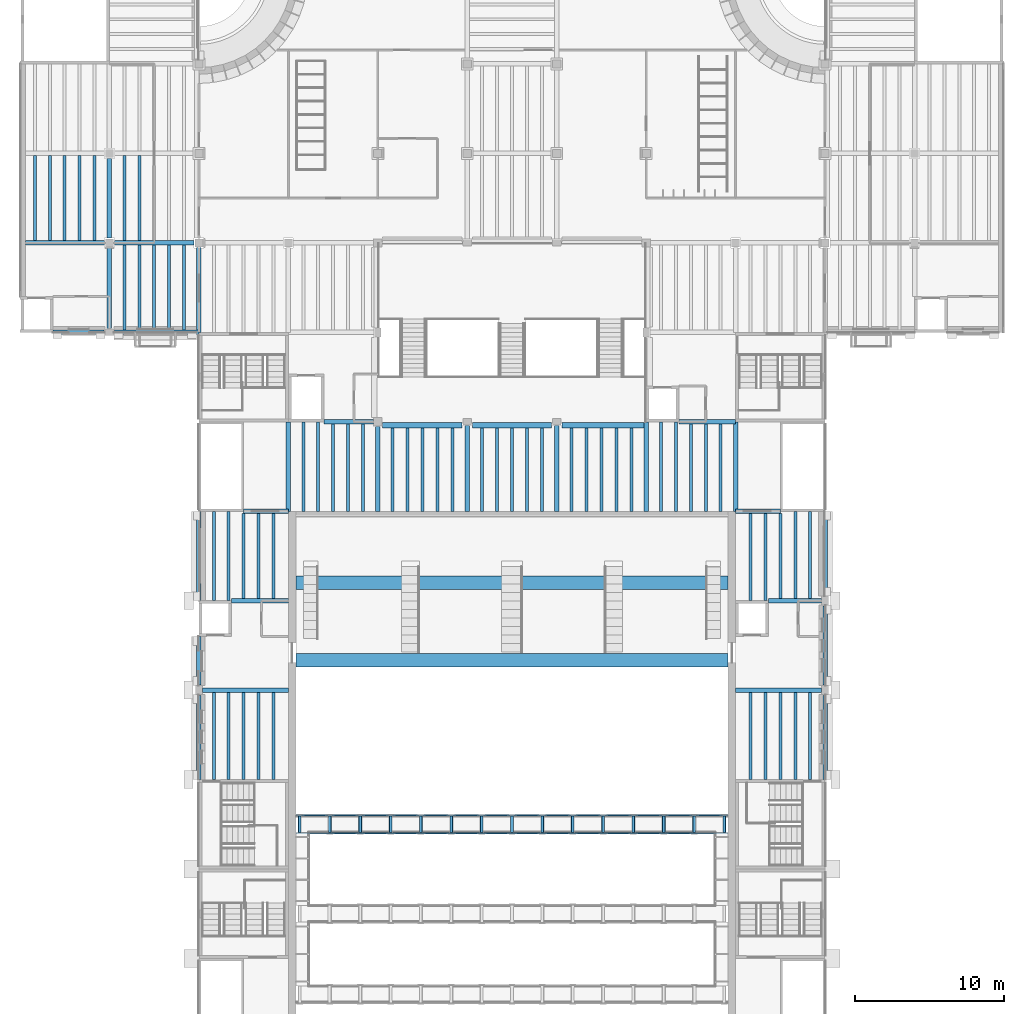
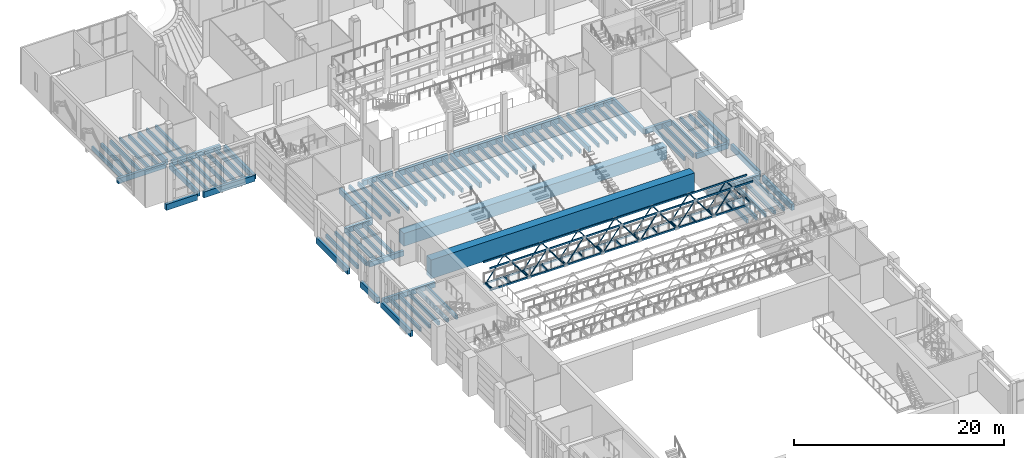
# One storey, part 12 of 70: 108 beams, 26 members.
"""IFC4 building model written with IfcOpenShell, lengths in metres."""

from ifc_helpers import new_model, si_unit, direction, frame, origin, origin_2d, place, context, subcontext, project, spatial, rectangle, hollow_rectangle, hollow_circle, i_section, extrude, material, material_profile, profile_set, type_object, element, save


model = new_model("IFC4")

# Units and contexts
model_context = context("Model", 3, precision=1e-05, world=origin(), true_north=direction((0.0, 1.0)))
body_context = subcontext(model_context, "Body", "Model", "MODEL_VIEW")
ifc_project = project(units=[si_unit("LENGTHUNIT", "METRE"), si_unit("AREAUNIT", "SQUARE_METRE"), si_unit("VOLUMEUNIT", "CUBIC_METRE"), si_unit("PLANEANGLEUNIT", "RADIAN"), si_unit("MASSUNIT", "GRAM", prefix="KILO")], contexts=[model_context])

# Site, building, storey
site_placement = place(None, origin())
site = spatial("IfcSite", under=ifc_project, at=site_placement, CompositionType="ELEMENT")
building_placement = place(site_placement, origin())
building = spatial("IfcBuilding", under=site, at=building_placement, Name="Saffron Lane Theatres", CompositionType="ELEMENT")
storey_placement = place(building_placement, frame((0.0, 0.0, 12.0)))
storey = spatial("IfcBuildingStorey", under=building, at=storey_placement, Name="L02", CompositionType="ELEMENT", Elevation=12.0)

# Beams
ifc_material_1 = material(Name="Concrete N40 (40 MPa)", Category="concrete")
ifc_material_profile_1 = material_profile(ifc_material_1, rectangle(XDim=0.300048828125, YDim=0.60009765625, at=origin_2d()))
ifc_profile_set_1 = profile_set([ifc_material_profile_1], Name="Concrete N40 (40 MPa)")
beam_type_1 = type_object("IfcBeamType", Name="RC-BEAM 300x600", PredefinedType="BEAM", material=ifc_profile_set_1)
for number, where, z_axis, x_axis, name in (
    (1, (12.25, 78.0, -0.550048828125), (1.0, 0.0, 0.0), (0.0, 1.0, 0.0), "beam-L02-x780-122"),
    (2, (48.0, 78.0, -0.550048828125), (1.0, 0.0, 0.0), (0.0, 1.0, 0.0), "beam-L02-x780-480"),
):
    element("IfcBeam", number, at=place(storey_placement, frame(where, z_axis=z_axis, x_axis=x_axis)), inside=storey, type_object=beam_type_1, Name=name, PredefinedType="BEAM", context=body_context, shape_type="SweptSolid", body=[
        extrude(rectangle(XDim=0.300048828125, YDim=0.60009765625, at=origin_2d()), origin(), (0.0, 0.0, 1.0), 5.75),
    ])
beam_1_placement = place(storey_placement, frame((14.199951171875, 84.0, -0.550048828125), z_axis=(1.0, 0.0, 0.0), x_axis=(0.0, 1.0, 0.0)))
element("IfcBeam", 3, at=beam_1_placement, inside=storey, type_object=beam_type_1, Name="beam-L02-x840-142", PredefinedType="BEAM", context=body_context, shape_type="SweptSolid", body=[
    extrude(rectangle(XDim=0.300048828125, YDim=0.60009765625, at=origin_2d()), origin(), (0.0, 0.0, 1.0), 3.800048828125),
])
beam_2_placement = place(storey_placement, frame((50.199951171875, 84.0, -0.550048828125), z_axis=(1.0, 0.0, 0.0), x_axis=(0.0, 1.0, 0.0)))
element("IfcBeam", 4, at=beam_2_placement, inside=storey, type_object=beam_type_1, Name="beam-L02-x840-502", PredefinedType="BEAM", context=body_context, shape_type="SweptSolid", body=[
    extrude(rectangle(XDim=0.300048828125, YDim=0.60009765625, at=origin_2d()), origin(), (0.0, 0.0, 1.0), 3.550048828125),
])
for number, where, z_axis, x_axis, name in (
    (5, (15.0, 90.0, -0.550048828125), (1.0, 0.0, 0.0), (0.0, 1.0, 0.0), "beam-L02-x900-150"),
    (6, (48.0, 90.0, -0.550048828125), (1.0, 0.0, 0.0), (0.0, 1.0, 0.0), "beam-L02-x900-480"),
):
    element("IfcBeam", number, at=place(storey_placement, frame(where, z_axis=z_axis, x_axis=x_axis)), inside=storey, type_object=beam_type_1, Name=name, PredefinedType="BEAM", context=body_context, shape_type="SweptSolid", body=[
        extrude(rectangle(XDim=0.300048828125, YDim=0.60009765625, at=origin_2d()), origin(), (0.0, 0.0, 1.0), 3.0),
    ])
beam_3_placement = place(storey_placement, frame((20.39990234375, 96.0, -0.550048828125), z_axis=(1.0, 0.0, 0.0), x_axis=(0.0, 1.0, 0.0)))
element("IfcBeam", 7, at=beam_3_placement, inside=storey, type_object=beam_type_1, Name="beam-L02-x960-204", PredefinedType="BEAM", context=body_context, shape_type="SweptSolid", body=[
    extrude(rectangle(XDim=0.300048828125, YDim=0.60009765625, at=origin_2d()), origin(), (0.0, 0.0, 1.0), 3.300048828125),
])
beam_4_placement = place(storey_placement, frame((44.199951171875, 96.0, -0.550048828125), z_axis=(1.0, 0.0, 0.0), x_axis=(0.0, 1.0, 0.0)))
element("IfcBeam", 8, at=beam_4_placement, inside=storey, type_object=beam_type_1, Name="beam-L02-x960-442", PredefinedType="BEAM", context=body_context, shape_type="SweptSolid", body=[
    extrude(rectangle(XDim=0.300048828125, YDim=0.60009765625, at=origin_2d()), origin(), (0.0, 0.0, 1.0), 3.800048828125),
])
beam_5_placement = place(storey_placement, frame((0.360107421875, 108.0, -0.550048828125), z_axis=(1.0, 0.0, 0.0), x_axis=(0.0, 1.0, 0.0)))
element("IfcBeam", 9, at=beam_5_placement, inside=storey, type_object=beam_type_1, Name="beam-L02-x1080-4", PredefinedType="BEAM", context=body_context, shape_type="SweptSolid", body=[
    extrude(rectangle(XDim=0.300048828125, YDim=0.60009765625, at=origin_2d()), origin(), (0.0, 0.0, 1.0), 5.31494140625),
])
beam_6_placement = place(storey_placement, frame((6.324951171875, 108.0, -0.550048828125), z_axis=(1.0, 0.0, 0.0), x_axis=(0.0, 1.0, 0.0)))
element("IfcBeam", 10, at=beam_6_placement, inside=storey, type_object=beam_type_1, Name="beam-L02-x1080-63", PredefinedType="BEAM", context=body_context, shape_type="SweptSolid", body=[
    extrude(rectangle(XDim=0.300048828125, YDim=0.60009765625, at=origin_2d()), origin(), (0.0, 0.0, 1.0), 5.35009765625),
])
beam_7_placement = place(storey_placement, frame((6.0, 102.25, -0.550048828125), z_axis=(0.0, 1.0, 0.0), x_axis=(-1.0, 0.0, 0.0)))
element("IfcBeam", 11, at=beam_7_placement, inside=storey, type_object=beam_type_1, Name="beam-L02-y60-1022", PredefinedType="BEAM", context=body_context, shape_type="SweptSolid", body=[
    extrude(rectangle(XDim=0.300048828125, YDim=0.60009765625, at=origin_2d()), origin(), (0.0, 0.0, 1.0), 5.425048828125),
])
beam_8_placement = place(storey_placement, frame((6.0, 108.324951171875, -0.550048828125), z_axis=(0.0, 1.0, 0.0), x_axis=(-1.0, 0.0, 0.0)))
element("IfcBeam", 12, at=beam_8_placement, inside=storey, type_object=beam_type_1, Name="beam-L02-y60-1083", PredefinedType="BEAM", context=body_context, shape_type="SweptSolid", body=[
    extrude(rectangle(XDim=0.300048828125, YDim=0.60009765625, at=origin_2d()), origin(), (0.0, 0.0, 1.0), 5.35009765625),
])
beam_9_placement = place(storey_placement, frame((12.0, 102.0, -0.550048828125), z_axis=(0.0, 1.0, 0.0), x_axis=(-1.0, 0.0, 0.0)))
element("IfcBeam", 13, at=beam_9_placement, inside=storey, type_object=beam_type_1, Name="beam-L02-y120-1020", PredefinedType="BEAM", context=body_context, shape_type="SweptSolid", body=[
    extrude(rectangle(XDim=0.300048828125, YDim=0.60009765625, at=origin_2d()), origin(), (0.0, 0.0, 1.0), 5.675048828125),
])
beam_10_placement = place(storey_placement, frame((18.0, 90.0, -0.550048828125), z_axis=(0.0, 1.0, 0.0), x_axis=(-1.0, 0.0, 0.0)))
element("IfcBeam", 14, at=beam_10_placement, inside=storey, type_object=beam_type_1, Name="beam-L02-y180-900", PredefinedType="BEAM", context=body_context, shape_type="SweptSolid", body=[
    extrude(rectangle(XDim=0.300048828125, YDim=0.60009765625, at=origin_2d()), origin(), (0.0, 0.0, 1.0), 6.0),
])
beam_11_placement = place(storey_placement, frame((24.0, 90.0, -0.550048828125), z_axis=(0.0, 1.0, 0.0), x_axis=(-1.0, 0.0, 0.0)))
element("IfcBeam", 15, at=beam_11_placement, inside=storey, type_object=beam_type_1, Name="beam-L02-y240-900", PredefinedType="BEAM", context=body_context, shape_type="SweptSolid", body=[
    extrude(rectangle(XDim=0.300048828125, YDim=0.60009765625, at=origin_2d()), origin(), (0.0, 0.0, 1.0), 5.699951171875),
])
for number, where, z_axis, x_axis, name in (
    (16, (30.0, 90.0, -0.550048828125), (0.0, 1.0, 0.0), (-1.0, 0.0, 0.0), "beam-L02-y300-900"),
    (17, (36.0, 90.0, -0.550048828125), (0.0, 1.0, 0.0), (-1.0, 0.0, 0.0), "beam-L02-y360-900"),
):
    element("IfcBeam", number, at=place(storey_placement, frame(where, z_axis=z_axis, x_axis=x_axis)), inside=storey, type_object=beam_type_1, Name=name, PredefinedType="BEAM", context=body_context, shape_type="SweptSolid", body=[
        extrude(rectangle(XDim=0.300048828125, YDim=0.60009765625, at=origin_2d()), origin(), (0.0, 0.0, 1.0), 5.75),
    ])
for number, where, z_axis, x_axis, name in (
    (18, (42.0, 90.0, -0.550048828125), (0.0, 1.0, 0.0), (-1.0, 0.0, 0.0), "beam-L02-y420-900"),
    (19, (48.0, 90.0, -0.550048828125), (0.0, 1.0, 0.0), (-1.0, 0.0, 0.0), "beam-L02-y480-900"),
):
    element("IfcBeam", number, at=place(storey_placement, frame(where, z_axis=z_axis, x_axis=x_axis)), inside=storey, type_object=beam_type_1, Name=name, PredefinedType="BEAM", context=body_context, shape_type="SweptSolid", body=[
        extrude(rectangle(XDim=0.300048828125, YDim=0.60009765625, at=origin_2d()), origin(), (0.0, 0.0, 1.0), 6.0),
    ])
ifc_material_2 = material(Name="Concrete N40 (40 MPa)", Category="concrete")
ifc_material_profile_2 = material_profile(ifc_material_2, rectangle(XDim=0.300048828125, YDim=0.699951171875, at=origin_2d()))
ifc_profile_set_2 = profile_set([ifc_material_profile_2], Name="Concrete N40 (40 MPa)")
beam_type_2 = type_object("IfcBeamType", Name="RC-BEAM 300x700", PredefinedType="BEAM", material=ifc_profile_set_2)
beam_12_placement = place(storey_placement, frame((2.199951171875, 102.0, -0.60009765625), z_axis=(1.0, 0.0, 0.0), x_axis=(0.0, 1.0, 0.0)))
element("IfcBeam", 20, at=beam_12_placement, inside=storey, type_object=beam_type_2, Name="beam-L02-x1020-22", PredefinedType="BEAM", context=body_context, shape_type="SweptSolid", body=[
    extrude(rectangle(XDim=0.300048828125, YDim=0.699951171875, at=origin_2d()), origin(), (0.0, 0.0, 1.0), 3.449951171875),
])
for number, where, z_axis, x_axis, name in (
    (21, (6.35009765625, 102.0, -0.60009765625), (1.0, 0.0, 0.0), (0.0, 1.0, 0.0), "beam-L02-x1020-64"),
    (22, (12.0, 72.0, -0.60009765625), (0.0, 1.0, 0.0), (-1.0, 0.0, 0.0), "beam-L02-y120-720"),
):
    element("IfcBeam", number, at=place(storey_placement, frame(where, z_axis=z_axis, x_axis=x_axis)), inside=storey, type_object=beam_type_2, Name=name, PredefinedType="BEAM", context=body_context, shape_type="SweptSolid", body=[
        extrude(rectangle(XDim=0.300048828125, YDim=0.699951171875, at=origin_2d()), origin(), (0.0, 0.0, 1.0), 5.64990234375),
    ])
beam_13_placement = place(storey_placement, frame((12.0, 78.35009765625, -0.60009765625), z_axis=(0.0, 1.0, 0.0), x_axis=(-1.0, 0.0, 0.0)))
element("IfcBeam", 23, at=beam_13_placement, inside=storey, type_object=beam_type_2, Name="beam-L02-y120-784", PredefinedType="BEAM", context=body_context, shape_type="SweptSolid", body=[
    extrude(rectangle(XDim=0.300048828125, YDim=0.699951171875, at=origin_2d()), origin(), (0.0, 0.0, 1.0), 3.25),
])
beam_14_placement = place(storey_placement, frame((12.0, 84.0, -0.60009765625), z_axis=(0.0, 1.0, 0.0), x_axis=(-1.0, 0.0, 0.0)))
element("IfcBeam", 24, at=beam_14_placement, inside=storey, type_object=beam_type_2, Name="beam-L02-y120-840", PredefinedType="BEAM", context=body_context, shape_type="SweptSolid", body=[
    extrude(rectangle(XDim=0.300048828125, YDim=0.699951171875, at=origin_2d()), origin(), (0.0, 0.0, 1.0), 6.0),
])
beam_15_placement = place(storey_placement, frame((54.0, 72.0, -0.60009765625), z_axis=(0.0, 1.0, 0.0), x_axis=(-1.0, 0.0, 0.0)))
element("IfcBeam", 25, at=beam_15_placement, inside=storey, type_object=beam_type_2, Name="beam-L02-y540-720", PredefinedType="BEAM", context=body_context, shape_type="SweptSolid", body=[
    extrude(rectangle(XDim=0.300048828125, YDim=0.699951171875, at=origin_2d()), origin(), (0.0, 0.0, 1.0), 5.64990234375),
])
beam_16_placement = place(storey_placement, frame((54.0, 78.35009765625, -0.60009765625), z_axis=(0.0, 1.0, 0.0), x_axis=(-1.0, 0.0, 0.0)))
element("IfcBeam", 26, at=beam_16_placement, inside=storey, type_object=beam_type_2, Name="beam-L02-y540-784", PredefinedType="BEAM", context=body_context, shape_type="SweptSolid", body=[
    extrude(rectangle(XDim=0.300048828125, YDim=0.699951171875, at=origin_2d()), origin(), (0.0, 0.0, 1.0), 5.2998046875),
])
beam_17_placement = place(storey_placement, frame((54.0, 84.35009765625, -0.60009765625), z_axis=(0.0, 1.0, 0.0), x_axis=(-1.0, 0.0, 0.0)))
element("IfcBeam", 27, at=beam_17_placement, inside=storey, type_object=beam_type_2, Name="beam-L02-y540-844", PredefinedType="BEAM", context=body_context, shape_type="SweptSolid", body=[
    extrude(rectangle(XDim=0.300048828125, YDim=0.699951171875, at=origin_2d()), origin(), (0.0, 0.0, 1.0), 5.64990234375),
])
ifc_material_3 = material(Name="Concrete N40 (40 MPa)", Category="concrete")
ifc_material_profile_3 = material_profile(ifc_material_3, rectangle(XDim=0.35009765625, YDim=0.64990234375, at=origin_2d()))
ifc_profile_set_3 = profile_set([ifc_material_profile_3], Name="Concrete N40 (40 MPa)")
beam_type_3 = type_object("IfcBeamType", Name="RC-BEAM 350x650", PredefinedType="BEAM", material=ifc_profile_set_3)
beam_18_placement = place(storey_placement, frame((24.300048828125, 95.764892578125, -0.574951171875), z_axis=(1.0, 0.0, 0.0), x_axis=(0.0, 1.0, 0.0)))
element("IfcBeam", 28, at=beam_18_placement, inside=storey, type_object=beam_type_3, Name="beam-L02-x960-243", PredefinedType="BEAM", context=body_context, shape_type="SweptSolid", body=[
    extrude(rectangle(XDim=0.35009765625, YDim=0.64990234375, at=origin_2d()), origin(), (0.0, 0.0, 1.0), 5.349853515625),
])
beam_19_placement = place(storey_placement, frame((30.35009765625, 95.764892578125, -0.574951171875), z_axis=(1.0, 0.0, 0.0), x_axis=(0.0, 1.0, 0.0)))
element("IfcBeam", 29, at=beam_19_placement, inside=storey, type_object=beam_type_3, Name="beam-L02-x960-304", PredefinedType="BEAM", context=body_context, shape_type="SweptSolid", body=[
    extrude(rectangle(XDim=0.35009765625, YDim=0.64990234375, at=origin_2d()), origin(), (0.0, 0.0, 1.0), 5.2998046875),
])
beam_20_placement = place(storey_placement, frame((36.35009765625, 95.764892578125, -0.574951171875), z_axis=(1.0, 0.0, 0.0), x_axis=(0.0, 1.0, 0.0)))
element("IfcBeam", 30, at=beam_20_placement, inside=storey, type_object=beam_type_3, Name="beam-L02-x960-364", PredefinedType="BEAM", context=body_context, shape_type="SweptSolid", body=[
    extrude(rectangle(XDim=0.35009765625, YDim=0.64990234375, at=origin_2d()), origin(), (0.0, 0.0, 1.0), 5.64990234375),
])
ifc_material_4 = material(Name="Concrete N50 (50 MPa)", Category="concrete")
ifc_material_profile_4 = material_profile(ifc_material_4, rectangle(XDim=0.89990234375, YDim=1.5, at=origin_2d()))
ifc_profile_set_4 = profile_set([ifc_material_profile_4], Name="Concrete N50 (50 MPa)")
beam_type_4 = type_object("IfcBeamType", Name="RC-BEAM 900x1500", PredefinedType="BEAM", material=ifc_profile_set_4)
beam_21_placement = place(storey_placement, frame((18.5, 85.2080078125, 0.28466796875), z_axis=(1.0, 0.0, 0.0), x_axis=(0.0, 1.0, 0.0)))
element("IfcBeam", 31, at=beam_21_placement, inside=storey, type_object=beam_type_4, Name="beam-L02-dress-circle-girder", PredefinedType="BEAM", context=body_context, shape_type="SweptSolid", body=[
    extrude(rectangle(XDim=0.89990234375, YDim=1.5, at=origin_2d()), origin(), (0.0, 0.0, 1.0), 29.0),
])
ifc_material_5 = material(Name="Concrete N50 (50 MPa)", Category="concrete")
ifc_material_profile_5 = material_profile(ifc_material_5, rectangle(XDim=0.89990234375, YDim=2.199951171875, at=origin_2d()))
ifc_profile_set_5 = profile_set([ifc_material_profile_5], Name="Concrete N50 (50 MPa)")
beam_type_5 = type_object("IfcBeamType", Name="RC-BEAM 900x2200", PredefinedType="BEAM", material=ifc_profile_set_5)
beam_22_placement = place(storey_placement, frame((18.5, 80.0, 0.0), z_axis=(1.0, 0.0, 0.0), x_axis=(0.0, 1.0, 0.0)))
element("IfcBeam", 32, at=beam_22_placement, inside=storey, type_object=beam_type_5, Name="beam-L02-circle-front-girder", PredefinedType="BEAM", context=body_context, shape_type="SweptSolid", body=[
    extrude(rectangle(XDim=0.89990234375, YDim=2.199951171875, at=origin_2d()), origin(), (0.0, 0.0, 1.0), 29.0),
])
ifc_material_6 = material(Name="Concrete N40 (40 MPa)", Category="concrete")
ifc_material_profile_6 = material_profile(ifc_material_6, rectangle(XDim=0.199951171875, YDim=0.449951171875, at=origin_2d()))
ifc_profile_set_6 = profile_set([ifc_material_profile_6], Name="Concrete N40 (40 MPa)")
beam_type_6 = type_object("IfcBeamType", Name="RC-JOIST 200x450", PredefinedType="JOIST", material=ifc_profile_set_6)
for number, where, z_axis, x_axis, name in (
    (33, (1.0, 108.14990234375, -0.47509765625), (0.0, 1.0, 0.0), (-1.0, 0.0, 0.0), "joist-L02-y100-1082"),
    (34, (2.0, 108.14990234375, -0.47509765625), (0.0, 1.0, 0.0), (-1.0, 0.0, 0.0), "joist-L02-y200-1082"),
    (35, (3.0, 108.14990234375, -0.47509765625), (0.0, 1.0, 0.0), (-1.0, 0.0, 0.0), "joist-L02-y300-1082"),
    (36, (4.0, 108.14990234375, -0.47509765625), (0.0, 1.0, 0.0), (-1.0, 0.0, 0.0), "joist-L02-y400-1082"),
    (37, (5.0, 108.14990234375, -0.47509765625), (0.0, 1.0, 0.0), (-1.0, 0.0, 0.0), "joist-L02-y500-1082"),
    (38, (7.0, 102.14990234375, -0.47509765625), (0.0, 1.0, 0.0), (-1.0, 0.0, 0.0), "joist-L02-y700-1022"),
    (39, (8.0, 102.14990234375, -0.47509765625), (0.0, 1.0, 0.0), (-1.0, 0.0, 0.0), "joist-L02-y800-1022"),
    (40, (9.0, 102.14990234375, -0.47509765625), (0.0, 1.0, 0.0), (-1.0, 0.0, 0.0), "joist-L02-y900-1022"),
    (41, (10.0, 102.14990234375, -0.47509765625), (0.0, 1.0, 0.0), (-1.0, 0.0, 0.0), "joist-L02-y1000-1022"),
    (42, (11.0, 102.14990234375, -0.47509765625), (0.0, 1.0, 0.0), (-1.0, 0.0, 0.0), "joist-L02-y1100-1022"),
    (43, (7.0, 108.14990234375, -0.47509765625), (0.0, 1.0, 0.0), (-1.0, 0.0, 0.0), "joist-L02-y700-1082"),
    (44, (8.0, 108.14990234375, -0.47509765625), (0.0, 1.0, 0.0), (-1.0, 0.0, 0.0), "joist-L02-y800-1082"),
):
    element("IfcBeam", number, at=place(storey_placement, frame(where, z_axis=z_axis, x_axis=x_axis)), inside=storey, type_object=beam_type_6, Name=name, PredefinedType="JOIST", context=body_context, shape_type="SweptSolid", body=[
        extrude(rectangle(XDim=0.199951171875, YDim=0.449951171875, at=origin_2d()), origin(), (0.0, 0.0, 1.0), 5.7001953125),
    ])
for number, where, z_axis, x_axis, name in (
    (45, (13.0, 72.0, -0.47509765625), (0.0, 1.0, 0.0), (-1.0, 0.0, 0.0), "joist-L02-y1300-720"),
    (46, (14.0, 72.0, -0.47509765625), (0.0, 1.0, 0.0), (-1.0, 0.0, 0.0), "joist-L02-y1400-720"),
    (47, (15.0, 72.0, -0.47509765625), (0.0, 1.0, 0.0), (-1.0, 0.0, 0.0), "joist-L02-y1500-720"),
    (48, (16.0, 72.0, -0.47509765625), (0.0, 1.0, 0.0), (-1.0, 0.0, 0.0), "joist-L02-y1600-720"),
    (49, (17.0, 72.0, -0.47509765625), (0.0, 1.0, 0.0), (-1.0, 0.0, 0.0), "joist-L02-y1700-720"),
):
    element("IfcBeam", number, at=place(storey_placement, frame(where, z_axis=z_axis, x_axis=x_axis)), inside=storey, type_object=beam_type_6, Name=name, PredefinedType="JOIST", context=body_context, shape_type="SweptSolid", body=[
        extrude(rectangle(XDim=0.199951171875, YDim=0.449951171875, at=origin_2d()), origin(), (0.0, 0.0, 1.0), 5.85009765625),
    ])
for number, where, z_axis, x_axis, name in (
    (50, (13.0, 84.0, -0.47509765625), (0.0, 1.0, 0.0), (-1.0, 0.0, 0.0), "joist-L02-y1300-840"),
    (51, (14.0, 84.0, -0.47509765625), (0.0, 1.0, 0.0), (-1.0, 0.0, 0.0), "joist-L02-y1400-840"),
):
    element("IfcBeam", number, at=place(storey_placement, frame(where, z_axis=z_axis, x_axis=x_axis)), inside=storey, type_object=beam_type_6, Name=name, PredefinedType="JOIST", context=body_context, shape_type="SweptSolid", body=[
        extrude(rectangle(XDim=0.199951171875, YDim=0.449951171875, at=origin_2d()), origin(), (0.0, 0.0, 1.0), 6.0),
    ])
for number, where, z_axis, x_axis, name in (
    (52, (15.0, 84.14990234375, -0.47509765625), (0.0, 1.0, 0.0), (-1.0, 0.0, 0.0), "joist-L02-y1500-842"),
    (53, (16.0, 84.14990234375, -0.47509765625), (0.0, 1.0, 0.0), (-1.0, 0.0, 0.0), "joist-L02-y1600-842"),
    (54, (17.0, 84.14990234375, -0.47509765625), (0.0, 1.0, 0.0), (-1.0, 0.0, 0.0), "joist-L02-y1700-842"),
):
    element("IfcBeam", number, at=place(storey_placement, frame(where, z_axis=z_axis, x_axis=x_axis)), inside=storey, type_object=beam_type_6, Name=name, PredefinedType="JOIST", context=body_context, shape_type="SweptSolid", body=[
        extrude(rectangle(XDim=0.199951171875, YDim=0.449951171875, at=origin_2d()), origin(), (0.0, 0.0, 1.0), 5.7001953125),
    ])
for number, where, z_axis, x_axis, name in (
    (55, (19.0, 90.0, -0.47509765625), (0.0, 1.0, 0.0), (-1.0, 0.0, 0.0), "joist-L02-y1900-900"),
    (56, (20.0, 90.0, -0.47509765625), (0.0, 1.0, 0.0), (-1.0, 0.0, 0.0), "joist-L02-y2000-900"),
):
    element("IfcBeam", number, at=place(storey_placement, frame(where, z_axis=z_axis, x_axis=x_axis)), inside=storey, type_object=beam_type_6, Name=name, PredefinedType="JOIST", context=body_context, shape_type="SweptSolid", body=[
        extrude(rectangle(XDim=0.199951171875, YDim=0.449951171875, at=origin_2d()), origin(), (0.0, 0.0, 1.0), 6.0),
    ])
for number, where, z_axis, x_axis, name in (
    (57, (21.0, 90.0, -0.47509765625), (0.0, 1.0, 0.0), (-1.0, 0.0, 0.0), "joist-L02-y2100-900"),
    (58, (22.0, 90.0, -0.47509765625), (0.0, 1.0, 0.0), (-1.0, 0.0, 0.0), "joist-L02-y2200-900"),
    (59, (23.0, 90.0, -0.47509765625), (0.0, 1.0, 0.0), (-1.0, 0.0, 0.0), "joist-L02-y2300-900"),
):
    element("IfcBeam", number, at=place(storey_placement, frame(where, z_axis=z_axis, x_axis=x_axis)), inside=storey, type_object=beam_type_6, Name=name, PredefinedType="JOIST", context=body_context, shape_type="SweptSolid", body=[
        extrude(rectangle(XDim=0.199951171875, YDim=0.449951171875, at=origin_2d()), origin(), (0.0, 0.0, 1.0), 5.85009765625),
    ])
for number, where, z_axis, x_axis, name in (
    (60, (25.0, 90.0, -0.47509765625), (0.0, 1.0, 0.0), (-1.0, 0.0, 0.0), "joist-L02-y2500-900"),
    (61, (26.0, 90.0, -0.47509765625), (0.0, 1.0, 0.0), (-1.0, 0.0, 0.0), "joist-L02-y2600-900"),
    (62, (27.0, 90.0, -0.47509765625), (0.0, 1.0, 0.0), (-1.0, 0.0, 0.0), "joist-L02-y2700-900"),
    (63, (28.0, 90.0, -0.47509765625), (0.0, 1.0, 0.0), (-1.0, 0.0, 0.0), "joist-L02-y2800-900"),
    (64, (29.0, 90.0, -0.47509765625), (0.0, 1.0, 0.0), (-1.0, 0.0, 0.0), "joist-L02-y2900-900"),
    (65, (31.0, 90.0, -0.47509765625), (0.0, 1.0, 0.0), (-1.0, 0.0, 0.0), "joist-L02-y3100-900"),
    (66, (32.0, 90.0, -0.47509765625), (0.0, 1.0, 0.0), (-1.0, 0.0, 0.0), "joist-L02-y3200-900"),
    (67, (33.0, 90.0, -0.47509765625), (0.0, 1.0, 0.0), (-1.0, 0.0, 0.0), "joist-L02-y3300-900"),
    (68, (34.0, 90.0, -0.47509765625), (0.0, 1.0, 0.0), (-1.0, 0.0, 0.0), "joist-L02-y3400-900"),
    (69, (35.0, 90.0, -0.47509765625), (0.0, 1.0, 0.0), (-1.0, 0.0, 0.0), "joist-L02-y3500-900"),
    (70, (37.0, 90.0, -0.47509765625), (0.0, 1.0, 0.0), (-1.0, 0.0, 0.0), "joist-L02-y3700-900"),
    (71, (38.0, 90.0, -0.47509765625), (0.0, 1.0, 0.0), (-1.0, 0.0, 0.0), "joist-L02-y3800-900"),
    (72, (39.0, 90.0, -0.47509765625), (0.0, 1.0, 0.0), (-1.0, 0.0, 0.0), "joist-L02-y3900-900"),
    (73, (40.0, 90.0, -0.47509765625), (0.0, 1.0, 0.0), (-1.0, 0.0, 0.0), "joist-L02-y4000-900"),
    (74, (41.0, 90.0, -0.47509765625), (0.0, 1.0, 0.0), (-1.0, 0.0, 0.0), "joist-L02-y4100-900"),
):
    element("IfcBeam", number, at=place(storey_placement, frame(where, z_axis=z_axis, x_axis=x_axis)), inside=storey, type_object=beam_type_6, Name=name, PredefinedType="JOIST", context=body_context, shape_type="SweptSolid", body=[
        extrude(rectangle(XDim=0.199951171875, YDim=0.449951171875, at=origin_2d()), origin(), (0.0, 0.0, 1.0), 5.590087890625),
    ])
for number, where, z_axis, x_axis, name in (
    (75, (43.0, 90.0, -0.47509765625), (0.0, 1.0, 0.0), (-1.0, 0.0, 0.0), "joist-L02-y4300-900"),
    (76, (44.0, 90.0, -0.47509765625), (0.0, 1.0, 0.0), (-1.0, 0.0, 0.0), "joist-L02-y4400-900"),
):
    element("IfcBeam", number, at=place(storey_placement, frame(where, z_axis=z_axis, x_axis=x_axis)), inside=storey, type_object=beam_type_6, Name=name, PredefinedType="JOIST", context=body_context, shape_type="SweptSolid", body=[
        extrude(rectangle(XDim=0.199951171875, YDim=0.449951171875, at=origin_2d()), origin(), (0.0, 0.0, 1.0), 6.0),
    ])
for number, where, z_axis, x_axis, name in (
    (77, (45.0, 90.0, -0.47509765625), (0.0, 1.0, 0.0), (-1.0, 0.0, 0.0), "joist-L02-y4500-900"),
    (78, (46.0, 90.0, -0.47509765625), (0.0, 1.0, 0.0), (-1.0, 0.0, 0.0), "joist-L02-y4600-900"),
    (79, (47.0, 90.0, -0.47509765625), (0.0, 1.0, 0.0), (-1.0, 0.0, 0.0), "joist-L02-y4700-900"),
    (80, (49.0, 72.0, -0.47509765625), (0.0, 1.0, 0.0), (-1.0, 0.0, 0.0), "joist-L02-y4900-720"),
    (81, (50.0, 72.0, -0.47509765625), (0.0, 1.0, 0.0), (-1.0, 0.0, 0.0), "joist-L02-y5000-720"),
    (82, (51.0, 72.0, -0.47509765625), (0.0, 1.0, 0.0), (-1.0, 0.0, 0.0), "joist-L02-y5100-720"),
    (83, (52.0, 72.0, -0.47509765625), (0.0, 1.0, 0.0), (-1.0, 0.0, 0.0), "joist-L02-y5200-720"),
    (84, (53.0, 72.0, -0.47509765625), (0.0, 1.0, 0.0), (-1.0, 0.0, 0.0), "joist-L02-y5300-720"),
    (85, (49.0, 84.0, -0.47509765625), (0.0, 1.0, 0.0), (-1.0, 0.0, 0.0), "joist-L02-y4900-840"),
    (86, (50.0, 84.0, -0.47509765625), (0.0, 1.0, 0.0), (-1.0, 0.0, 0.0), "joist-L02-y5000-840"),
):
    element("IfcBeam", number, at=place(storey_placement, frame(where, z_axis=z_axis, x_axis=x_axis)), inside=storey, type_object=beam_type_6, Name=name, PredefinedType="JOIST", context=body_context, shape_type="SweptSolid", body=[
        extrude(rectangle(XDim=0.199951171875, YDim=0.449951171875, at=origin_2d()), origin(), (0.0, 0.0, 1.0), 5.85009765625),
    ])
beam_23_placement = place(storey_placement, frame((51.0, 84.14990234375, -0.47509765625), z_axis=(0.0, 1.0, 0.0), x_axis=(-1.0, 0.0, 0.0)))
element("IfcBeam", 87, at=beam_23_placement, inside=storey, type_object=beam_type_6, Name="joist-L02-y5100-842", PredefinedType="JOIST", context=body_context, shape_type="SweptSolid", body=[
    extrude(rectangle(XDim=0.199951171875, YDim=0.449951171875, at=origin_2d()), origin(), (0.0, 0.0, 1.0), 5.7001953125),
])
for number, where, z_axis, x_axis, name in (
    (88, (52.0, 84.14990234375, -0.47509765625), (0.0, 1.0, 0.0), (-1.0, 0.0, 0.0), "joist-L02-y5200-842"),
    (89, (53.0, 84.14990234375, -0.47509765625), (0.0, 1.0, 0.0), (-1.0, 0.0, 0.0), "joist-L02-y5300-842"),
):
    element("IfcBeam", number, at=place(storey_placement, frame(where, z_axis=z_axis, x_axis=x_axis)), inside=storey, type_object=beam_type_6, Name=name, PredefinedType="JOIST", context=body_context, shape_type="SweptSolid", body=[
        extrude(rectangle(XDim=0.199951171875, YDim=0.449951171875, at=origin_2d()), origin(), (0.0, 0.0, 1.0), 5.85009765625),
    ])
ifc_material_7 = material(Name="Steel Grade 350", Category="steel")
ifc_material_profile_7 = material_profile(ifc_material_7, hollow_rectangle(XDim=0.10009765625, YDim=0.199951171875, WallThickness=0.006103515625, InnerFilletRadius=0.0029296875, OuterFilletRadius=0.009033203125, at=origin_2d()))
ifc_profile_set_7 = profile_set([ifc_material_profile_7], Name="Steel Grade 350")
beam_type_7 = type_object("IfcBeamType", Name="ST-BRIDGE CHORD 200x100x6 RHS", PredefinedType="BEAM", material=ifc_profile_set_7)
for number, where, z_axis, x_axis, name in (
    (90, (18.5, 68.39990234375, 4.360107421875), (1.0, 0.0, 0.0), (0.0, 1.0, 0.0), "LB3AB"),
    (91, (18.5, 68.39990234375, 6.89990234375), (1.0, 0.0, 0.0), (0.0, 1.0, 0.0), "LB3AT"),
    (92, (18.5, 69.60009765625, 4.360107421875), (1.0, 0.0, 0.0), (0.0, 1.0, 0.0), "LB3BB"),
    (93, (18.5, 69.60009765625, 6.89990234375), (1.0, 0.0, 0.0), (0.0, 1.0, 0.0), "LB3BT"),
):
    element("IfcBeam", number, at=place(storey_placement, frame(where, z_axis=z_axis, x_axis=x_axis)), inside=storey, type_object=beam_type_7, Name=name, PredefinedType="BEAM", context=body_context, shape_type="SweptSolid", body=[
        extrude(hollow_rectangle(XDim=0.10009765625, YDim=0.199951171875, WallThickness=0.006103515625, InnerFilletRadius=0.0029296875, OuterFilletRadius=0.009033203125, at=origin_2d()), origin(), (0.0, 0.0, 1.0), 29.0),
    ])
ifc_material_8 = material(Name="Steel Grade 350", Category="steel")
ifc_material_profile_8 = material_profile(ifc_material_8, i_section(OverallWidth=0.202880859375, OverallDepth=0.202880859375, WebThickness=0.00732421875, FlangeThickness=0.010986328125, FilletRadius=0.010009765625, at=origin_2d()))
ifc_profile_set_8 = profile_set([ifc_material_profile_8], Name="Steel Grade 350")
beam_type_8 = type_object("IfcBeamType", Name="ST-BRIDGE CROSS 200UC46.2", PredefinedType="JOIST", material=ifc_profile_set_8)
for number, where, z_axis, x_axis, name in (
    (94, (18.75, 68.449951171875, 4.3583984375), (0.0, 1.0, 0.0), (0.0, 0.0, 1.0), "LC3-1"),
    (95, (20.78564453125, 68.449951171875, 4.3583984375), (0.0, 1.0, 0.0), (0.0, 0.0, 1.0), "LC3-2"),
    (96, (22.821533203125, 68.449951171875, 4.3583984375), (0.0, 1.0, 0.0), (0.0, 0.0, 1.0), "LC3-3"),
    (97, (24.857177734375, 68.449951171875, 4.3583984375), (0.0, 1.0, 0.0), (0.0, 0.0, 1.0), "LC3-4"),
    (98, (26.892822265625, 68.449951171875, 4.3583984375), (0.0, 1.0, 0.0), (0.0, 0.0, 1.0), "LC3-5"),
    (99, (28.928466796875, 68.449951171875, 4.3583984375), (0.0, 1.0, 0.0), (0.0, 0.0, 1.0), "LC3-6"),
    (100, (30.96435546875, 68.449951171875, 4.3583984375), (0.0, 1.0, 0.0), (0.0, 0.0, 1.0), "LC3-7"),
    (101, (33.0, 68.449951171875, 4.3583984375), (0.0, 1.0, 0.0), (0.0, 0.0, 1.0), "LC3-8"),
    (102, (35.03564453125, 68.449951171875, 4.3583984375), (0.0, 1.0, 0.0), (0.0, 0.0, 1.0), "LC3-9"),
    (103, (37.071533203125, 68.449951171875, 4.3583984375), (0.0, 1.0, 0.0), (0.0, 0.0, 1.0), "LC3-10"),
    (104, (39.107177734375, 68.449951171875, 4.3583984375), (0.0, 1.0, 0.0), (0.0, 0.0, 1.0), "LC3-11"),
    (105, (41.142822265625, 68.449951171875, 4.3583984375), (0.0, 1.0, 0.0), (0.0, 0.0, 1.0), "LC3-12"),
    (106, (43.178466796875, 68.449951171875, 4.3583984375), (0.0, 1.0, 0.0), (0.0, 0.0, 1.0), "LC3-13"),
    (107, (45.21435546875, 68.449951171875, 4.3583984375), (0.0, 1.0, 0.0), (0.0, 0.0, 1.0), "LC3-14"),
    (108, (47.25, 68.449951171875, 4.3583984375), (0.0, 1.0, 0.0), (0.0, 0.0, 1.0), "LC3-15"),
):
    element("IfcBeam", number, at=place(storey_placement, frame(where, z_axis=z_axis, x_axis=x_axis)), inside=storey, type_object=beam_type_8, Name=name, PredefinedType="JOIST", context=body_context, shape_type="SweptSolid", body=[
        extrude(i_section(OverallWidth=0.202880859375, OverallDepth=0.202880859375, WebThickness=0.00732421875, FlangeThickness=0.010986328125, FilletRadius=0.010009765625, at=origin_2d()), origin(), (0.0, 0.0, 1.0), 1.10009765625),
    ])

# Members
ifc_material_9 = material(Name="Steel Grade 350", Category="steel")
ifc_material_profile_9 = material_profile(ifc_material_9, hollow_circle(Radius=0.0380859375, WallThickness=0.003662109375, at=origin_2d()))
ifc_profile_set_9 = profile_set([ifc_material_profile_9], Name="Steel Grade 350")
member_type = type_object("IfcMemberType", Name="ST-BRIDGE DIAG 76.1x3.6 CHS", PredefinedType="BRACE", material=ifc_profile_set_9)
for number, where, z_axis, x_axis, name in (
    (109, (20.9384765625, 68.39990234375, 6.777099609375), (0.602132133056, 0.0, -0.798396451859), (0.0, 1.0, 0.0), "LD3A-2"),
    (110, (22.97412109375, 68.39990234375, 4.48291015625), (0.602132133056, 0.0, 0.798396451859), (0.0, 1.0, 0.0), "LD3A-3"),
    (111, (25.009765625, 68.39990234375, 6.777099609375), (0.602186287393, 0.0, -0.79835560703), (0.0, 1.0, 0.0), "LD3A-4"),
    (112, (27.045654296875, 68.39990234375, 4.48291015625), (0.602132133056, 0.0, 0.798396451859), (0.0, 1.0, 0.0), "LD3A-5"),
    (113, (29.081298828125, 68.39990234375, 6.777099609375), (0.602132133056, 0.0, -0.798396451859), (0.0, 1.0, 0.0), "LD3A-6"),
    (114, (31.116943359375, 68.39990234375, 4.48291015625), (0.602186287393, 0.0, 0.79835560703), (0.0, 1.0, 0.0), "LD3A-7"),
    (115, (33.152587890625, 68.39990234375, 6.777099609375), (0.602186287393, 0.0, -0.79835560703), (0.0, 1.0, 0.0), "LD3A-8"),
    (116, (35.1884765625, 68.39990234375, 4.48291015625), (0.602132133056, 0.0, 0.798396451859), (0.0, 1.0, 0.0), "LD3A-9"),
    (117, (37.22412109375, 68.39990234375, 6.777099609375), (0.602132133056, 0.0, -0.798396451859), (0.0, 1.0, 0.0), "LD3A-10"),
    (118, (39.259765625, 68.39990234375, 4.48291015625), (0.602186287393, 0.0, 0.79835560703), (0.0, 1.0, 0.0), "LD3A-11"),
    (119, (41.295654296875, 68.39990234375, 6.777099609375), (0.602132133056, 0.0, -0.798396451859), (0.0, 1.0, 0.0), "LD3A-12"),
    (120, (43.331298828125, 68.39990234375, 4.48291015625), (0.602132133056, 0.0, 0.798396451859), (0.0, 1.0, 0.0), "LD3A-13"),
    (121, (18.902587890625, 69.60009765625, 4.48291015625), (0.602186287393, 0.0, 0.79835560703), (0.0, 1.0, 0.0), "LD3B-1"),
    (122, (20.9384765625, 69.60009765625, 6.777099609375), (0.602132133056, 0.0, -0.798396451859), (0.0, 1.0, 0.0), "LD3B-2"),
    (123, (22.97412109375, 69.60009765625, 4.48291015625), (0.602132133056, 0.0, 0.798396451859), (0.0, 1.0, 0.0), "LD3B-3"),
    (124, (25.009765625, 69.60009765625, 6.777099609375), (0.602186287393, 0.0, -0.79835560703), (0.0, 1.0, 0.0), "LD3B-4"),
    (125, (27.045654296875, 69.60009765625, 4.48291015625), (0.602132133056, 0.0, 0.798396451859), (0.0, 1.0, 0.0), "LD3B-5"),
    (126, (29.081298828125, 69.60009765625, 6.777099609375), (0.602132133056, 0.0, -0.798396451859), (0.0, 1.0, 0.0), "LD3B-6"),
    (127, (31.116943359375, 69.60009765625, 4.48291015625), (0.602186287393, 0.0, 0.79835560703), (0.0, 1.0, 0.0), "LD3B-7"),
    (128, (33.152587890625, 69.60009765625, 6.777099609375), (0.602186287393, 0.0, -0.79835560703), (0.0, 1.0, 0.0), "LD3B-8"),
    (129, (35.1884765625, 69.60009765625, 4.48291015625), (0.602132133056, 0.0, 0.798396451859), (0.0, 1.0, 0.0), "LD3B-9"),
    (130, (37.22412109375, 69.60009765625, 6.777099609375), (0.602132133056, 0.0, -0.798396451859), (0.0, 1.0, 0.0), "LD3B-10"),
    (131, (39.259765625, 69.60009765625, 4.48291015625), (0.602186287393, 0.0, 0.79835560703), (0.0, 1.0, 0.0), "LD3B-11"),
    (132, (41.295654296875, 69.60009765625, 6.777099609375), (0.602132133056, 0.0, -0.798396451859), (0.0, 1.0, 0.0), "LD3B-12"),
    (133, (43.331298828125, 69.60009765625, 4.48291015625), (0.602132133056, 0.0, 0.798396451859), (0.0, 1.0, 0.0), "LD3B-13"),
    (134, (45.366943359375, 69.60009765625, 6.777099609375), (0.602186287393, 0.0, -0.79835560703), (0.0, 1.0, 0.0), "LD3B-14"),
):
    element("IfcMember", number, at=place(storey_placement, frame(where, z_axis=z_axis, x_axis=x_axis)), inside=storey, type_object=member_type, Name=name, PredefinedType="BRACE", context=body_context, shape_type="SweptSolid", body=[
        extrude(hollow_circle(Radius=0.0380859375, WallThickness=0.003662109375, at=origin_2d()), origin(), (0.0, 0.0, 1.0), 2.87353515625),
    ])

save(model, "model.ifc")
